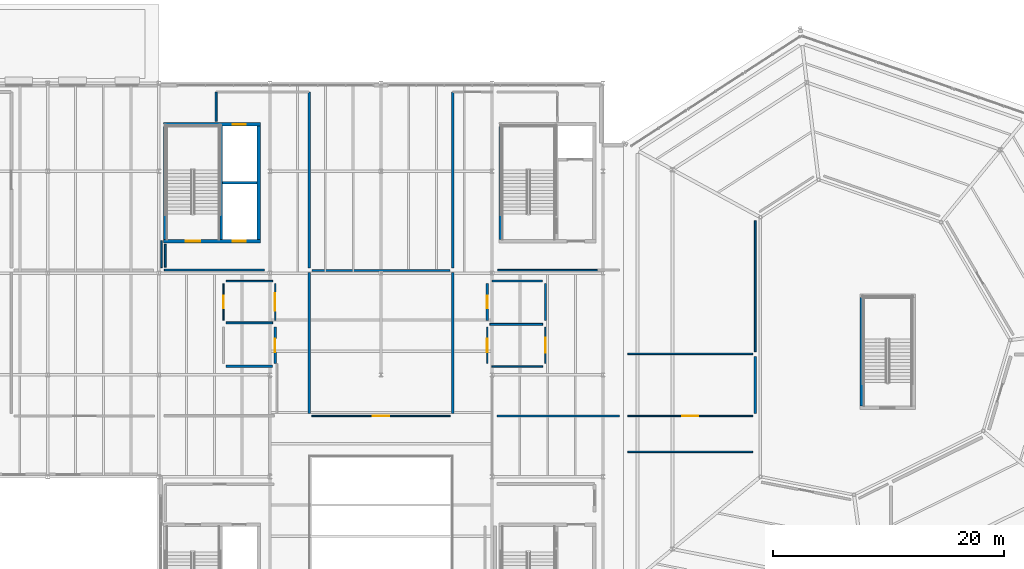
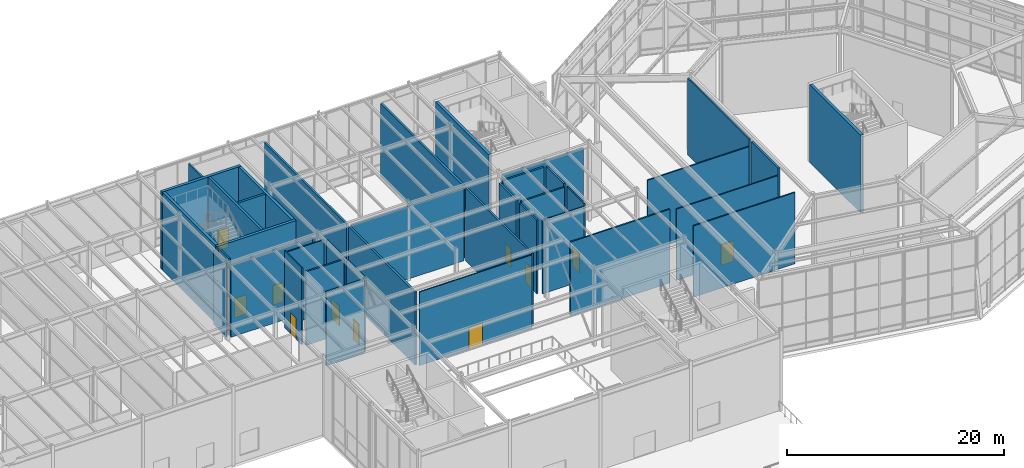
# One storey, part 37 of 48: 38 walls, 11 doors, 11 openings.
"""IFC4 building model written with IfcOpenShell, lengths in metres."""

import ifcopenshell
import ifcopenshell.guid

model = None  # the IFC model being written
_history = None  # IfcOwnerHistory: only IFC2X3 demands one
_inside = {}  # id of a spatial element -> (the spatial element, [elements in it])
_under = {}  # id of a project, library or spatial element -> (it, [spatial elements below it])
_declared = {}  # id of a project -> (the project, [libraries it declares])
_typed = {}  # id of a type object -> (the type object, [elements of that type])
_made_of = {}  # id of a material, layer set ... -> (it, [elements and type objects made of it])


def new_model(schema):
    """Start an empty IFC model of exactly this schema.

    Asked for "IFC4X3", IfcOpenShell would pick the latest addendum, in which some entities
    have other attributes; the version numbers below select the first issue.
    IFC2X3 requires an IfcOwnerHistory on every rooted entity: one is made here for all.
    """
    global model, _history
    if schema == "IFC4X3":
        model = ifcopenshell.file(schema_version=(4, 3, 0, 0))
    else:
        model = ifcopenshell.file(schema=schema)
    _inside.clear()
    _under.clear()
    _declared.clear()
    _typed.clear()
    _made_of.clear()
    _history = None
    if model.schema == "IFC2X3":
        org = make("IfcOrganization", Name="unknown")
        user = make(
            "IfcPersonAndOrganization",
            ThePerson=make("IfcPerson", FamilyName="unknown"),
            TheOrganization=org,
        )
        app = make(
            "IfcApplication",
            ApplicationDeveloper=org,
            Version="unknown",
            ApplicationFullName="unknown",
            ApplicationIdentifier="unknown",
        )
        _history = make(
            "IfcOwnerHistory",
            OwningUser=user,
            OwningApplication=app,
            ChangeAction="ADDED",
            CreationDate=0,
        )
    return model


def make(cls, **values):
    """One entity of the class cls with the attributes given. An attribute that is None is left unset."""
    return model.create_entity(
        cls, **{name: value for name, value in values.items() if value is not None}
    )


def rooted(cls, **values):
    """An entity with a GlobalId (a new one), such as an element, a storey or a relation."""
    return make(cls, GlobalId=ifcopenshell.guid.new(), OwnerHistory=_history, **values)


def si_unit(unit_type, name, prefix=None):
    """IfcSIUnit, for example si_unit("LENGTHUNIT", "METRE", prefix="MILLI")."""
    return make("IfcSIUnit", UnitType=unit_type, Prefix=prefix, Name=name)


def assignment(units):
    """IfcUnitAssignment: the units of a project."""
    return None if units is None else make("IfcUnitAssignment", Units=units)


def point(xyz):
    """IfcCartesianPoint."""
    return None if xyz is None else make("IfcCartesianPoint", Coordinates=xyz)


def direction(xyz):
    """IfcDirection."""
    return None if xyz is None else make("IfcDirection", DirectionRatios=xyz)


def frame(location, z_axis=None, x_axis=None):
    """IfcAxis2Placement3D, a coordinate frame: its origin and axes. An axis left out is left unset."""
    return make(
        "IfcAxis2Placement3D",
        Location=point(location),
        Axis=direction(z_axis),
        RefDirection=direction(x_axis),
    )


def frame_2d(location, x_axis=None):
    """IfcAxis2Placement2D, a coordinate frame in the plane: its origin and x axis."""
    return make(
        "IfcAxis2Placement2D", Location=point(location), RefDirection=direction(x_axis)
    )


def origin():
    """The frame at (0, 0, 0) with its axes left unset."""
    return frame((0.0, 0.0, 0.0))


def place(relative_to, where):
    """IfcLocalPlacement: puts the frame where relative to a parent placement (None: the world)."""
    return make(
        "IfcLocalPlacement", PlacementRelTo=relative_to, RelativePlacement=where
    )


def context(
    kind, dimensions, precision=None, world=None, true_north=None, identifier=None
):
    """IfcGeometricRepresentationContext, for example the 3D "Model" context."""
    return make(
        "IfcGeometricRepresentationContext",
        ContextIdentifier=identifier,
        ContextType=kind,
        CoordinateSpaceDimension=dimensions,
        Precision=precision,
        WorldCoordinateSystem=world,
        TrueNorth=true_north,
    )


def subcontext(parent, identifier, kind, view, scale=None):
    """IfcGeometricRepresentationSubContext, for example "Body" below "Model"."""
    return make(
        "IfcGeometricRepresentationSubContext",
        ContextIdentifier=identifier,
        ContextType=kind,
        ParentContext=parent,
        TargetScale=scale,
        TargetView=view,
    )


def project(units=None, contexts=None):
    """IfcProject with its units and contexts."""
    return rooted(
        "IfcProject",
        Name="project",
        RepresentationContexts=contexts,
        UnitsInContext=assignment(units),
    )


def spatial(cls, under=None, at=None, **own):
    """A site, building, storey or space (cls), placed at a placement, below another one or the project."""
    s = rooted(cls, ObjectPlacement=at, **own)
    if under is not None:
        _under.setdefault(under.id(), (under, []))[1].append(s)
    return s


def profile(cls, at=None, kind="AREA", **sizes):
    """A parametric profile (cls). Its sizes go by their IFC names, for example OverallWidth=200.0."""
    return make(cls, ProfileType=kind, Position=at, **sizes)


def rectangle(**sizes):
    """IfcRectangleProfileDef."""
    return profile("IfcRectangleProfileDef", **sizes)


def extrude(swept, where, along, depth):
    """IfcExtrudedAreaSolid: the profile swept, set in the frame where, extruded along a direction by depth."""
    return make(
        "IfcExtrudedAreaSolid",
        SweptArea=swept,
        Position=where,
        ExtrudedDirection=direction(along),
        Depth=depth,
    )


def shape(context_of_items, identifier, shape_type, items):
    """IfcShapeRepresentation: the items that make up one representation, for example the "Body"."""
    return make(
        "IfcShapeRepresentation",
        ContextOfItems=context_of_items,
        RepresentationIdentifier=identifier,
        RepresentationType=shape_type,
        Items=items,
    )


def material(Name=None, Category=None):
    """IfcMaterial."""
    return make("IfcMaterial", Name=Name, Category=Category)


def layer(
    of_material, thickness, ventilated=None, Name=None, Category=None, Priority=None
):
    """IfcMaterialLayer: one layer of a wall or slab, of a material (None: an air gap)."""
    return make(
        "IfcMaterialLayer",
        Material=of_material,
        LayerThickness=thickness,
        IsVentilated=ventilated,
        Name=Name,
        Category=Category,
        Priority=Priority,
    )


def layer_set(layers, Name=None):
    """IfcMaterialLayerSet."""
    return make("IfcMaterialLayerSet", MaterialLayers=layers, LayerSetName=Name)


def made_of(thing, what):
    """Note that an element or type object is made of a material, layer set ...; save() writes the relation."""
    if what is not None:
        _made_of.setdefault(what.id(), (what, []))[1].append(thing)
    return thing


def type_object(cls, material=None, **own):
    """A type object (cls), such as IfcWallType, which elements share."""
    return made_of(rooted(cls, **own), material)


def element(
    cls,
    number,
    at=None,
    inside=None,
    cuts=None,
    type_object=None,
    material=None,
    context=None,
    identifier="Body",
    shape_type=None,
    held_by="IfcProductDefinitionShape",
    body=None,
    shapes=None,
    **own,
):
    """One element of the class cls, such as IfcWall. Its Tag is "e" and its number.

    at: its placement. inside: the storey or other place that contains it. cuts: it is an
    opening in that element (IfcRelVoidsElement). A single representation is given by context,
    identifier, shape_type and body (its items); several are given by shapes. held_by: the class
    of the entity that holds the representations. save() writes the other relations.
    """
    e = rooted(cls, Tag="e%d" % number, ObjectPlacement=at, **own)
    if body is not None:
        shapes = [shape(context, identifier, shape_type, body)]
    if shapes is not None:
        e.Representation = make(held_by, Representations=shapes)
    if inside is not None:
        _inside.setdefault(inside.id(), (inside, []))[1].append(e)
    if cuts is not None:
        rooted(
            "IfcRelVoidsElement", RelatingBuildingElement=cuts, RelatedOpeningElement=e
        )
    if type_object is not None:
        _typed.setdefault(type_object.id(), (type_object, []))[1].append(e)
    return made_of(e, material)


def fill(opening, filler):
    """IfcRelFillsElement: the door or window that sits in an opening."""
    return rooted(
        "IfcRelFillsElement",
        RelatingOpeningElement=opening,
        RelatedBuildingElement=filler,
    )


def aggregate(whole, parts):
    """IfcRelAggregates: a whole, such as a stair, and the parts it consists of."""
    return rooted("IfcRelAggregates", RelatingObject=whole, RelatedObjects=parts)


def save(model, path):
    """Write the relations noted so far, then the file.

    IfcRelAggregates (storeys below a building ...), IfcRelContainedInSpatialStructure (elements
    in a storey), IfcRelDefinesByType, IfcRelAssociatesMaterial and IfcRelDeclares: one each for
    every whole, place, type object, material and project.
    """
    for whole, parts in _under.values():
        aggregate(whole, parts)
    for where, things in _inside.values():
        rooted(
            "IfcRelContainedInSpatialStructure",
            RelatedElements=things,
            RelatingStructure=where,
        )
    for kind, things in _typed.values():
        rooted("IfcRelDefinesByType", RelatedObjects=things, RelatingType=kind)
    for what, things in _made_of.values():
        rooted("IfcRelAssociatesMaterial", RelatedObjects=things, RelatingMaterial=what)
    for by, libraries in _declared.values():
        rooted("IfcRelDeclares", RelatingContext=by, RelatedDefinitions=libraries)
    model.write(path)


model = new_model("IFC4")

# Units and contexts
model_context = context("Model", 3, precision=1e-05, world=origin(), true_north=direction((0.0, 1.0)))
body_context = subcontext(model_context, "Body", "Model", "MODEL_VIEW")
ifc_project = project(units=[si_unit("LENGTHUNIT", "METRE"), si_unit("AREAUNIT", "SQUARE_METRE"), si_unit("VOLUMEUNIT", "CUBIC_METRE"), si_unit("PLANEANGLEUNIT", "RADIAN"), si_unit("MASSUNIT", "GRAM", prefix="KILO")], contexts=[model_context])

# Site, building, storey
site_placement = place(None, origin())
site = spatial("IfcSite", under=ifc_project, at=site_placement, CompositionType="ELEMENT")
building_placement = place(site_placement, origin())
building = spatial("IfcBuilding", under=site, at=building_placement, Name="Sarnbrook Museum", CompositionType="ELEMENT")
storey_placement = place(building_placement, frame((0.0, 0.0, 19.10009765625)))
storey = spatial("IfcBuildingStorey", under=building, at=storey_placement, Name="L04", CompositionType="ELEMENT", Elevation=19.10009765625)

# Wall
ifc_material_1 = material(Name="Concrete N50 (AS 3600, f'c = 50 MPa)", Category="concrete")
ifc_layer_1 = layer(ifc_material_1, 0.300048828125)
ifc_layer_set_1 = layer_set([ifc_layer_1], Name="Concrete N50 (AS 3600, f'c = 50 MPa)")
wall_type_1 = type_object("IfcWallType", Name="CoreWall_CWRC", PredefinedType="SHEAR", material=ifc_layer_set_1)
wall_1_placement = place(storey_placement, frame((110.35009765625, 104.68994140625, 0.0), z_axis=(0.0, 0.0, 1.0), x_axis=(0.0, -1.0, 0.0)))
element("IfcWall", 1, at=wall_1_placement, inside=storey, type_object=wall_type_1, Name="Core C2 Shear Wall W L04", PredefinedType="SHEAR", context=body_context, shape_type="SweptSolid", body=[
    extrude(rectangle(XDim=9.780029296875, YDim=0.300048828125, at=frame_2d((4.89013671875, 0.0))), origin(), (0.0, 0.0, 1.0), 8.744873046875),
])

# Wall, openings, doors
wall_2_placement = place(storey_placement, frame((81.199951171875, 94.75, 0.0), z_axis=(0.0, 0.0, 1.0), x_axis=(1.0, 0.0, 0.0)))
wall_2 = element("IfcWall", 2, at=wall_2_placement, inside=storey, type_object=wall_type_1, Name="Core C4 Shear Wall S L04", PredefinedType="SHEAR", context=body_context, shape_type="SweptSolid", body=[
    extrude(rectangle(XDim=8.400146484375, YDim=0.300048828125, at=frame_2d((4.2001953125, 0.0))), origin(), (0.0, 0.0, 1.0), 8.744873046875),
])
opening_1_placement = place(wall_2_placement, frame((1.925048828125, 0.0, 0.0)))
opening_1 = element("IfcOpeningElement", 3, at=opening_1_placement, cuts=wall_2, Name="Opening D-ST-ST4-L04", PredefinedType="OPENING", context=body_context, shape_type="SweptSolid", body=[
    extrude(rectangle(XDim=1.25, YDim=2.199951171875, at=frame_2d((0.625, 1.10009765625))), frame((0.0, 0.16015625, 0.0), z_axis=(0.0, -1.0, 0.0), x_axis=(1.0, 0.0, 0.0)), (0.0, 0.0, 1.0), 0.320068359375),
])
opening_2_placement = place(wall_2_placement, frame((6.0, 0.0, 0.0)))
opening_2 = element("IfcOpeningElement", 4, at=opening_2_placement, cuts=wall_2, Name="Opening LD-PL3-L04", PredefinedType="OPENING", context=body_context, shape_type="SweptSolid", body=[
    extrude(rectangle(XDim=1.10009765625, YDim=2.199951171875, at=frame_2d((0.550048828125, 1.10009765625))), frame((0.0, 0.16015625, 0.0), z_axis=(0.0, -1.0, 0.0), x_axis=(1.0, 0.0, 0.0)), (0.0, 0.0, 1.0), 0.320068359375),
])
ifc_material_2 = material(Name="Tasmanian Oak Acoustic Timber", Category="wood")
door_type_1 = type_object("IfcDoorType", Name="FireDoor_FD120", OperationType="NOTDEFINED", PredefinedType="DOOR", material=ifc_material_2)
door_1_placement = place(opening_1_placement, origin())
door_1 = element("IfcDoor", 5, at=door_1_placement, inside=storey, type_object=door_type_1, Name="Exit Stair ST4 Fire Door L04", OperationType="SINGLE_SWING_RIGHT", OverallHeight=2.199951171875, OverallWidth=1.25, PredefinedType="DOOR", context=body_context, shape_type="SweptSolid", body=[
    extrude(rectangle(XDim=1.25, YDim=2.199951171875, at=frame_2d((0.625, 1.10009765625))), frame((0.0, 0.02490234375, 0.0), z_axis=(0.0, -1.0, 0.0), x_axis=(1.0, 0.0, 0.0)), (0.0, 0.0, 1.0), 0.050048828125),
])
fill(opening_1, door_1)
ifc_material_3 = material(Name="Brushed Stainless Steel Grade 316", Category="steel")
door_type_2 = type_object("IfcDoorType", Name="LiftDoor_Pax110", OperationType="DOUBLE_DOOR_SLIDING", PredefinedType="DOOR", material=ifc_material_3)
door_2_placement = place(opening_2_placement, origin())
door_2 = element("IfcDoor", 6, at=door_2_placement, inside=storey, type_object=door_type_2, Name="Lift Landing Sliding Door LD-PL3-L04", OperationType="DOUBLE_DOOR_SLIDING", OverallHeight=2.199951171875, OverallWidth=1.10009765625, PredefinedType="DOOR", context=body_context, shape_type="SweptSolid", body=[
    extrude(rectangle(XDim=1.10009765625, YDim=2.199951171875, at=frame_2d((0.550048828125, 1.10009765625))), frame((0.0, 0.02490234375, 0.0), z_axis=(0.0, -1.0, 0.0), x_axis=(1.0, 0.0, 0.0)), (0.0, 0.0, 1.0), 0.050048828125),
])
fill(opening_2, door_2)

# Wall, opening, door
wall_3_placement = place(storey_placement, frame((89.60009765625, 104.85009765625, 0.0), z_axis=(0.0, 0.0, 1.0), x_axis=(-1.0, 0.0, 0.0)))
wall_3 = element("IfcWall", 7, at=wall_3_placement, inside=storey, type_object=wall_type_1, Name="Core C4 Shear Wall N L04", PredefinedType="SHEAR", context=body_context, shape_type="SweptSolid", body=[
    extrude(rectangle(XDim=8.400146484375, YDim=0.300048828125, at=frame_2d((4.2001953125, 0.0))), origin(), (0.0, 0.0, 1.0), 8.744873046875),
])
opening_3_placement = place(wall_3_placement, frame((1.300048828125, 0.0, 0.0)))
opening_3 = element("IfcOpeningElement", 8, at=opening_3_placement, cuts=wall_3, Name="Opening LD-PL4-L04", PredefinedType="OPENING", context=body_context, shape_type="SweptSolid", body=[
    extrude(rectangle(XDim=1.10009765625, YDim=2.199951171875, at=frame_2d((0.550048828125, 1.10009765625))), frame((0.0, 0.16015625, 0.0), z_axis=(0.0, -1.0, 0.0), x_axis=(1.0, 0.0, 0.0)), (0.0, 0.0, 1.0), 0.320068359375),
])
door_3_placement = place(opening_3_placement, origin())
door_3 = element("IfcDoor", 9, at=door_3_placement, inside=storey, type_object=door_type_2, Name="Lift Landing Sliding Door LD-PL4-L04", OperationType="DOUBLE_DOOR_SLIDING", OverallHeight=2.199951171875, OverallWidth=1.10009765625, PredefinedType="DOOR", context=body_context, shape_type="SweptSolid", body=[
    extrude(rectangle(XDim=1.10009765625, YDim=2.199951171875, at=frame_2d((0.550048828125, 1.10009765625))), frame((0.0, 0.02490234375, 0.0), z_axis=(0.0, -1.0, 0.0), x_axis=(1.0, 0.0, 0.0)), (0.0, 0.0, 1.0), 0.050048828125),
])
fill(opening_3, door_3)

# Walls
for number, where, z_axis, x_axis, name in (
    (10, (89.449951171875, 94.909912109375, 0.0), (0.0, 0.0, 1.0), (0.0, 1.0, 0.0), "Core C4 Shear Wall E L04"),
    (11, (81.35009765625, 104.68994140625, 0.0), (0.0, 0.0, 1.0), (0.0, -1.0, 0.0), "Core C4 Shear Wall W L04"),
):
    element("IfcWall", number, at=place(storey_placement, frame(where, z_axis=z_axis, x_axis=x_axis)), inside=storey, type_object=wall_type_1, Name=name, PredefinedType="SHEAR", context=body_context, shape_type="SweptSolid", body=[
        extrude(rectangle(XDim=9.780029296875, YDim=0.300048828125, at=frame_2d((4.89013671875, 0.0))), origin(), (0.0, 0.0, 1.0), 8.744873046875),
    ])
wall_4_placement = place(storey_placement, frame((141.550048828125, 89.889892578125, 0.0), z_axis=(0.0, 0.0, 1.0), x_axis=(0.0, -1.0, 0.0)))
element("IfcWall", 12, at=wall_4_placement, inside=storey, type_object=wall_type_1, Name="Core C7 Shear Wall W L04", PredefinedType="SHEAR", context=body_context, shape_type="SweptSolid", body=[
    extrude(rectangle(XDim=9.3798828125, YDim=0.300048828125, at=frame_2d((4.68994140625, 0.0))), origin(), (0.0, 0.0, 1.0), 8.73486328125),
])
ifc_material_4 = material(Name="Fire-Rated Acoustic Gypsum Plasterboard")
ifc_layer_2 = layer(ifc_material_4, 0.1201171875)
ifc_layer_set_2 = layer_set([ifc_layer_2], Name="Fire-Rated Acoustic Gypsum Plasterboard")
wall_type_2 = type_object("IfcWallType", Name="PartWall_P120", PredefinedType="PARTITIONING", material=ifc_layer_set_2)
wall_5_placement = place(storey_placement, frame((113.97998046875, 83.93994140625, 0.0), z_axis=(0.0, 0.0, 1.0), x_axis=(-1.0, 0.0, 0.0)))
element("IfcWall", 13, at=wall_5_placement, inside=storey, type_object=wall_type_2, Name="Interior Partition Wall L04-0734", PredefinedType="PARTITIONING", context=body_context, shape_type="SweptSolid", body=[
    extrude(rectangle(XDim=4.389892578125, YDim=0.1201171875, at=frame_2d((2.19482421875, 0.0))), origin(), (0.0, 0.0, 1.0), 8.262939453125),
])

# Wall, opening, door
wall_6_placement = place(storey_placement, frame((86.389892578125, 87.919921875, 0.0), z_axis=(0.0, 0.0, 1.0), x_axis=(0.0, 1.0, 0.0)))
wall_6 = element("IfcWall", 14, at=wall_6_placement, inside=storey, type_object=wall_type_2, Name="Interior Partition Wall L04-0741", PredefinedType="PARTITIONING", context=body_context, shape_type="SweptSolid", body=[
    extrude(rectangle(XDim=3.16015625, YDim=0.1201171875, at=frame_2d((1.580078125, 0.0))), origin(), (0.0, 0.0, 1.0), 8.6298828125),
])
opening_4_placement = place(wall_6_placement, frame((1.054931640625, 0.0, 0.0)))
opening_4 = element("IfcOpeningElement", 15, at=opening_4_placement, cuts=wall_6, Name="Opening D-L04-211", PredefinedType="OPENING", context=body_context, shape_type="SweptSolid", body=[
    extrude(rectangle(XDim=1.050048828125, YDim=2.340087890625, at=frame_2d((0.52490234375, 1.169921875))), frame((0.0, 0.070068359375, 0.0), z_axis=(0.0, -1.0, 0.0), x_axis=(1.0, 0.0, 0.0)), (0.0, 0.0, 1.0), 0.14013671875),
])
door_type_3 = type_object("IfcDoorType", Name="IntDoor_DT21", OperationType="NOTDEFINED", PredefinedType="DOOR", material=ifc_material_2)
door_4_placement = place(opening_4_placement, frame((1.050048828125, 0.0, 0.0), z_axis=(0.0, 0.0, 1.0), x_axis=(-1.0, 0.0, 0.0)))
door_4 = element("IfcDoor", 16, at=door_4_placement, inside=storey, type_object=door_type_3, Name="Climate & Anthropocene Exhibition L04-6 Door D-L04-211", OperationType="SINGLE_SWING_RIGHT", OverallHeight=2.340087890625, OverallWidth=1.050048828125, PredefinedType="DOOR", context=body_context, shape_type="SweptSolid", body=[
    extrude(rectangle(XDim=1.050048828125, YDim=2.340087890625, at=frame_2d((0.52490234375, 1.169921875))), frame((0.0, 0.02490234375, 0.0), z_axis=(0.0, -1.0, 0.0), x_axis=(1.0, 0.0, 0.0)), (0.0, 0.0, 1.0), 0.050048828125),
])
fill(opening_4, door_4)

wall_7_placement = place(storey_placement, frame((132.1201171875, 79.64990234375, 0.0), z_axis=(0.0, 0.0, 1.0), x_axis=(-1.0, 0.0, 0.0)))
wall_7 = element("IfcWall", 17, at=wall_7_placement, inside=storey, type_object=wall_type_2, Name="Interior Partition Wall L04-0748", PredefinedType="PARTITIONING", context=body_context, shape_type="SweptSolid", body=[
    extrude(rectangle(XDim=10.78271484375, YDim=0.1201171875, at=frame_2d((5.391357421875, 0.0))), origin(), (0.0, 0.0, 1.0), 8.010009765625),
])
opening_5_placement = place(wall_7_placement, frame((4.701416015625, 0.0, 0.0)))
opening_5 = element("IfcOpeningElement", 18, at=opening_5_placement, cuts=wall_7, Name="Opening D-L04-214", PredefinedType="OPENING", context=body_context, shape_type="SweptSolid", body=[
    extrude(rectangle(XDim=1.3798828125, YDim=2.340087890625, at=frame_2d((0.68994140625, 1.169921875))), frame((0.0, 0.070068359375, 0.0), z_axis=(0.0, -1.0, 0.0), x_axis=(1.0, 0.0, 0.0)), (0.0, 0.0, 1.0), 0.14013671875),
])
door_type_4 = type_object("IfcDoorType", Name="IntDoor_DT24", OperationType="NOTDEFINED", PredefinedType="DOOR", material=ifc_material_2)
door_5_placement = place(opening_5_placement, frame((1.3798828125, 0.0, 0.0), z_axis=(0.0, 0.0, 1.0), x_axis=(-1.0, 0.0, 0.0)))
door_5 = element("IfcDoor", 19, at=door_5_placement, inside=storey, type_object=door_type_4, Name="Mineral Crystal Treasury L04-2 Door D-L04-214", OperationType="SINGLE_SWING_LEFT", OverallHeight=2.340087890625, OverallWidth=1.3798828125, PredefinedType="DOOR", context=body_context, shape_type="SweptSolid", body=[
    extrude(rectangle(XDim=1.3798828125, YDim=2.340087890625, at=frame_2d((0.68994140625, 1.169921875))), frame((0.0, 0.02490234375, 0.0), z_axis=(0.0, -1.0, 0.0), x_axis=(1.0, 0.0, 0.0)), (0.0, 0.0, 1.0), 0.050048828125),
])
fill(opening_5, door_5)

wall_8_placement = place(storey_placement, frame((105.969970703125, 79.64990234375, 0.0), z_axis=(0.0, 0.0, 1.0), x_axis=(-1.0, 0.0, 0.0)))
wall_8 = element("IfcWall", 20, at=wall_8_placement, inside=storey, type_object=wall_type_2, Name="Interior Partition Wall L04-0776", PredefinedType="PARTITIONING", context=body_context, shape_type="SweptSolid", body=[
    extrude(rectangle(XDim=11.93994140625, YDim=0.1201171875, at=frame_2d((5.969970703125, 0.0))), origin(), (0.0, 0.0, 1.0), 8.264404296875),
])
opening_6_placement = place(wall_8_placement, frame((5.239990234375, 0.0, 0.0)))
opening_6 = element("IfcOpeningElement", 21, at=opening_6_placement, cuts=wall_8, Name="Opening D-L04-219", PredefinedType="OPENING", context=body_context, shape_type="SweptSolid", body=[
    extrude(rectangle(XDim=1.4599609375, YDim=2.4599609375, at=frame_2d((0.72998046875, 1.22998046875))), frame((0.0, 0.070068359375, 0.0), z_axis=(0.0, -1.0, 0.0), x_axis=(1.0, 0.0, 0.0)), (0.0, 0.0, 1.0), 0.14013671875),
])
door_type_5 = type_object("IfcDoorType", Name="IntDoor_DT29", OperationType="NOTDEFINED", PredefinedType="DOOR", material=ifc_material_2)
door_6_placement = place(opening_6_placement, frame((1.4599609375, 0.0, 0.0), z_axis=(0.0, 0.0, 1.0), x_axis=(-1.0, 0.0, 0.0)))
door_6 = element("IfcDoor", 22, at=door_6_placement, inside=storey, type_object=door_type_5, Name="Senior Curators' & Fellows' Offices L04-8 Door D-L04-219", OperationType="SINGLE_SWING_LEFT", OverallHeight=2.4599609375, OverallWidth=1.4599609375, PredefinedType="DOOR", context=body_context, shape_type="SweptSolid", body=[
    extrude(rectangle(XDim=1.4599609375, YDim=2.4599609375, at=frame_2d((0.72998046875, 1.22998046875))), frame((0.0, 0.02490234375, 0.0), z_axis=(0.0, -1.0, 0.0), x_axis=(1.0, 0.0, 0.0)), (0.0, 0.0, 1.0), 0.050048828125),
])
fill(opening_6, door_6)

ifc_layer_3 = layer(ifc_material_4, 0.135009765625)
ifc_layer_set_3 = layer_set([ifc_layer_3], Name="Fire-Rated Acoustic Gypsum Plasterboard")
wall_type_3 = type_object("IfcWallType", Name="PartWall_P135", PredefinedType="PARTITIONING", material=ifc_layer_set_3)
wall_9_placement = place(storey_placement, frame((114.2099609375, 87.330078125, 0.0), z_axis=(0.0, 0.0, 1.0), x_axis=(0.0, -1.0, 0.0)))
wall_9 = element("IfcWall", 23, at=wall_9_placement, inside=storey, type_object=wall_type_3, Name="Interior Partition Wall L04-0733", PredefinedType="PARTITIONING", context=body_context, shape_type="SweptSolid", body=[
    extrude(rectangle(XDim=3.16015625, YDim=0.135009765625, at=frame_2d((1.580078125, 0.0))), origin(), (0.0, 0.0, 1.0), 8.364013671875),
])
opening_7_placement = place(wall_9_placement, frame((0.93994140625, 0.0, 0.0)))
opening_7 = element("IfcOpeningElement", 24, at=opening_7_placement, cuts=wall_9, Name="Opening D-L04-208", PredefinedType="OPENING", context=body_context, shape_type="SweptSolid", body=[
    extrude(rectangle(XDim=1.280029296875, YDim=2.239990234375, at=frame_2d((0.64013671875, 1.1201171875))), frame((0.0, 0.07763671875, 0.0), z_axis=(0.0, -1.0, 0.0), x_axis=(1.0, 0.0, 0.0)), (0.0, 0.0, 1.0), 0.155029296875),
])
door_type_6 = type_object("IfcDoorType", Name="IntDoor_DT18", OperationType="NOTDEFINED", PredefinedType="DOOR", material=ifc_material_2)
door_7_placement = place(opening_7_placement, frame((1.280029296875, 0.0, 0.0), z_axis=(0.0, 0.0, 1.0), x_axis=(-1.0, 0.0, 0.0)))
door_7 = element("IfcDoor", 25, at=door_7_placement, inside=storey, type_object=door_type_6, Name="Museum Board & Symposium Room L04-10 Door D-L04-208", OperationType="SINGLE_SWING_LEFT", OverallHeight=2.239990234375, OverallWidth=1.280029296875, PredefinedType="DOOR", context=body_context, shape_type="SweptSolid", body=[
    extrude(rectangle(XDim=1.280029296875, YDim=2.239990234375, at=frame_2d((0.64013671875, 1.1201171875))), frame((0.0, 0.02490234375, 0.0), z_axis=(0.0, -1.0, 0.0), x_axis=(1.0, 0.0, 0.0)), (0.0, 0.0, 1.0), 0.050048828125),
])
fill(opening_7, door_7)

# Walls
wall_10_placement = place(storey_placement, frame((86.6201171875, 91.31005859375, 0.0), z_axis=(0.0, 0.0, 1.0), x_axis=(1.0, 0.0, 0.0)))
element("IfcWall", 26, at=wall_10_placement, inside=storey, type_object=wall_type_3, Name="Interior Partition Wall L04-0740", PredefinedType="PARTITIONING", context=body_context, shape_type="SweptSolid", body=[
    extrude(rectangle(XDim=4.009765625, YDim=0.135009765625, at=frame_2d((2.0048828125, 0.0))), origin(), (0.0, 0.0, 1.0), 8.262939453125),
])
wall_11_placement = place(storey_placement, frame((121.33740234375, 76.550048828125, 0.0), z_axis=(0.0, 0.0, 1.0), x_axis=(1.0, 0.0, 0.0)))
element("IfcWall", 27, at=wall_11_placement, inside=storey, type_object=wall_type_3, Name="Interior Partition Wall L04-0747", PredefinedType="PARTITIONING", context=body_context, shape_type="SweptSolid", body=[
    extrude(rectangle(XDim=10.78271484375, YDim=0.135009765625, at=frame_2d((5.391357421875, 0.0))), origin(), (0.0, 0.0, 1.0), 8.010009765625),
])
wall_12_placement = place(storey_placement, frame((81.02001953125, 92.47998046875, 0.0), z_axis=(0.0, 0.0, 1.0), x_axis=(0.0, 1.0, 0.0)))
element("IfcWall", 28, at=wall_12_placement, inside=storey, type_object=wall_type_3, Name="Interior Partition Wall L04-0775", PredefinedType="PARTITIONING", context=body_context, shape_type="SweptSolid", body=[
    extrude(rectangle(XDim=2.320068359375, YDim=0.135009765625, at=frame_2d((1.16015625, 0.0))), origin(), (0.0, 0.0, 1.0), 8.262939453125),
])
wall_13_placement = place(storey_placement, frame((110.080078125, 92.260009765625, 0.0), z_axis=(0.0, 0.0, 1.0), x_axis=(1.0, 0.0, 0.0)))
element("IfcWall", 29, at=wall_13_placement, inside=storey, type_object=wall_type_3, Name="Interior Partition Wall L04-0782", PredefinedType="PARTITIONING", context=body_context, shape_type="SweptSolid", body=[
    extrude(rectangle(XDim=8.639892578125, YDim=0.135009765625, at=frame_2d((4.31982421875, 0.0))), origin(), (0.0, 0.0, 1.0), 8.18701171875),
])
wall_14_placement = place(storey_placement, frame((121.33740234375, 85.010498046875, 0.0), z_axis=(0.0, 0.0, 1.0), x_axis=(1.0, 0.0, 0.0)))
element("IfcWall", 30, at=wall_14_placement, inside=storey, type_object=wall_type_3, Name="Interior Partition Wall L04-0796", PredefinedType="PARTITIONING", context=body_context, shape_type="SweptSolid", body=[
    extrude(rectangle(XDim=10.78271484375, YDim=0.135009765625, at=frame_2d((5.391357421875, 0.0))), origin(), (0.0, 0.0, 1.0), 8.010009765625),
])

# Wall, opening, door
ifc_layer_4 = layer(ifc_material_4, 0.14990234375)
ifc_layer_set_4 = layer_set([ifc_layer_4], Name="Fire-Rated Acoustic Gypsum Plasterboard")
wall_type_4 = type_object("IfcWallType", Name="PartWall_P150", PredefinedType="PARTITIONING", material=ifc_layer_set_4)
wall_15_placement = place(storey_placement, frame((109.18994140625, 84.169921875, 0.0), z_axis=(0.0, 0.0, 1.0), x_axis=(0.0, 1.0, 0.0)))
wall_15 = element("IfcWall", 31, at=wall_15_placement, inside=storey, type_object=wall_type_4, Name="Interior Partition Wall L04-0732", PredefinedType="PARTITIONING", context=body_context, shape_type="SweptSolid", body=[
    extrude(rectangle(XDim=3.16015625, YDim=0.14990234375, at=frame_2d((1.580078125, 0.0))), origin(), (0.0, 0.0, 1.0), 8.264404296875),
])
opening_8_placement = place(wall_15_placement, frame((0.989990234375, 0.0, 0.0)))
opening_8 = element("IfcOpeningElement", 32, at=opening_8_placement, cuts=wall_15, Name="Opening D-L04-207", PredefinedType="OPENING", context=body_context, shape_type="SweptSolid", body=[
    extrude(rectangle(XDim=1.179931640625, YDim=2.239990234375, at=frame_2d((0.58984375, 1.1201171875))), frame((0.0, 0.0849609375, 0.0), z_axis=(0.0, -1.0, 0.0), x_axis=(1.0, 0.0, 0.0)), (0.0, 0.0, 1.0), 0.169921875),
])
door_type_7 = type_object("IfcDoorType", Name="IntDoor_DT17", OperationType="NOTDEFINED", PredefinedType="DOOR", material=ifc_material_2)
door_8_placement = place(opening_8_placement, origin())
door_8 = element("IfcDoor", 33, at=door_8_placement, inside=storey, type_object=door_type_7, Name="Public Male Toilets L04 Door D-L04-207", OperationType="SINGLE_SWING_RIGHT", OverallHeight=2.239990234375, OverallWidth=1.179931640625, PredefinedType="DOOR", context=body_context, shape_type="SweptSolid", body=[
    extrude(rectangle(XDim=1.179931640625, YDim=2.239990234375, at=frame_2d((0.58984375, 1.1201171875))), frame((0.0, 0.02490234375, 0.0), z_axis=(0.0, -1.0, 0.0), x_axis=(1.0, 0.0, 0.0)), (0.0, 0.0, 1.0), 0.050048828125),
])
fill(opening_8, door_8)

wall_16_placement = place(storey_placement, frame((90.860107421875, 91.080078125, 0.0), z_axis=(0.0, 0.0, 1.0), x_axis=(0.0, -1.0, 0.0)))
wall_16 = element("IfcWall", 34, at=wall_16_placement, inside=storey, type_object=wall_type_4, Name="Interior Partition Wall L04-0739", PredefinedType="PARTITIONING", context=body_context, shape_type="SweptSolid", body=[
    extrude(rectangle(XDim=3.16015625, YDim=0.14990234375, at=frame_2d((1.580078125, 0.0))), origin(), (0.0, 0.0, 1.0), 8.264404296875),
])
opening_9_placement = place(wall_16_placement, frame((0.840087890625, 0.0, 0.0)))
opening_9 = element("IfcOpeningElement", 35, at=opening_9_placement, cuts=wall_16, Name="Opening D-L04-210", PredefinedType="OPENING", context=body_context, shape_type="SweptSolid", body=[
    extrude(rectangle(XDim=1.47998046875, YDim=2.239990234375, at=frame_2d((0.739990234375, 1.1201171875))), frame((0.0, 0.0849609375, 0.0), z_axis=(0.0, -1.0, 0.0), x_axis=(1.0, 0.0, 0.0)), (0.0, 0.0, 1.0), 0.169921875),
])
door_type_8 = type_object("IfcDoorType", Name="IntDoor_DT20", OperationType="NOTDEFINED", PredefinedType="DOOR", material=ifc_material_2)
door_9_placement = place(opening_9_placement, origin())
door_9 = element("IfcDoor", 36, at=door_9_placement, inside=storey, type_object=door_type_8, Name="Accessible Unisex Toilet L04 Door D-L04-210", OperationType="SINGLE_SWING_LEFT", OverallHeight=2.239990234375, OverallWidth=1.47998046875, PredefinedType="DOOR", context=body_context, shape_type="SweptSolid", body=[
    extrude(rectangle(XDim=1.47998046875, YDim=2.239990234375, at=frame_2d((0.739990234375, 1.1201171875))), frame((0.0, 0.02490234375, 0.0), z_axis=(0.0, -1.0, 0.0), x_axis=(1.0, 0.0, 0.0)), (0.0, 0.0, 1.0), 0.050048828125),
])
fill(opening_9, door_9)

# Walls
wall_17_placement = place(storey_placement, frame((132.35009765625, 96.52734375, 0.0), z_axis=(0.0, 0.0, 1.0), x_axis=(0.0, -1.0, 0.0)))
element("IfcWall", 37, at=wall_17_placement, inside=storey, type_object=wall_type_4, Name="Interior Partition Wall L04-0753", PredefinedType="PARTITIONING", context=body_context, shape_type="SweptSolid", body=[
    extrude(rectangle(XDim=11.32666015625, YDim=0.14990234375, at=frame_2d((5.663330078125, 0.0))), origin(), (0.0, 0.0, 1.0), 8.6298828125),
])
wall_18_placement = place(storey_placement, frame((81.280029296875, 92.260009765625, 0.0), z_axis=(0.0, 0.0, 1.0), x_axis=(1.0, 0.0, 0.0)))
element("IfcWall", 38, at=wall_18_placement, inside=storey, type_object=wall_type_4, Name="Interior Partition Wall L04-0767", PredefinedType="PARTITIONING", context=body_context, shape_type="SweptSolid", body=[
    extrude(rectangle(XDim=8.639892578125, YDim=0.14990234375, at=frame_2d((4.31982421875, 0.0))), origin(), (0.0, 0.0, 1.0), 8.18701171875),
])
wall_19_placement = place(storey_placement, frame((81.35009765625, 94.47998046875, 0.0), z_axis=(0.0, 0.0, 1.0), x_axis=(0.0, -1.0, 0.0)))
element("IfcWall", 39, at=wall_19_placement, inside=storey, type_object=wall_type_4, Name="Interior Partition Wall L04-0774", PredefinedType="PARTITIONING", context=body_context, shape_type="SweptSolid", body=[
    extrude(rectangle(XDim=1.969970703125, YDim=0.14990234375, at=frame_2d((0.98486328125, 0.0))), origin(), (0.0, 0.0, 1.0), 8.6298828125),
])
wall_20_placement = place(storey_placement, frame((120.6171875, 79.64990234375, 0.0), z_axis=(0.0, 0.0, 1.0), x_axis=(-1.0, 0.0, 0.0)))
element("IfcWall", 40, at=wall_20_placement, inside=storey, type_object=wall_type_4, Name="Interior Partition Wall L04-0781", PredefinedType="PARTITIONING", context=body_context, shape_type="SweptSolid", body=[
    extrude(rectangle(XDim=10.567138671875, YDim=0.14990234375, at=frame_2d((5.28369140625, 0.0))), origin(), (0.0, 0.0, 1.0), 8.262939453125),
])
ifc_layer_5 = layer(ifc_material_4, 0.1650390625)
ifc_layer_set_5 = layer_set([ifc_layer_5], Name="Fire-Rated Acoustic Gypsum Plasterboard")
wall_type_5 = type_object("IfcWallType", Name="PartWall_P165", PredefinedType="PARTITIONING", material=ifc_layer_set_5)
wall_21_placement = place(storey_placement, frame((109.419921875, 87.56005859375, 0.0), z_axis=(0.0, 0.0, 1.0), x_axis=(1.0, 0.0, 0.0)))
element("IfcWall", 41, at=wall_21_placement, inside=storey, type_object=wall_type_5, Name="Interior Partition Wall L04-0731", PredefinedType="PARTITIONING", context=body_context, shape_type="SweptSolid", body=[
    extrude(rectangle(XDim=4.56005859375, YDim=0.1650390625, at=frame_2d((2.280029296875, 0.0))), origin(), (0.0, 0.0, 1.0), 8.262939453125),
])
wall_22_placement = place(storey_placement, frame((90.6298828125, 87.68994140625, 0.0), z_axis=(0.0, 0.0, 1.0), x_axis=(-1.0, 0.0, 0.0)))
element("IfcWall", 42, at=wall_22_placement, inside=storey, type_object=wall_type_5, Name="Interior Partition Wall L04-0738", PredefinedType="PARTITIONING", context=body_context, shape_type="SweptSolid", body=[
    extrude(rectangle(XDim=4.009765625, YDim=0.1650390625, at=frame_2d((2.0048828125, 0.0))), origin(), (0.0, 0.0, 1.0), 8.262939453125),
])
wall_23_placement = place(storey_placement, frame((85.75, 107.639892578125, 0.0), z_axis=(0.0, 0.0, 1.0), x_axis=(0.0, -1.0, 0.0)))
element("IfcWall", 43, at=wall_23_placement, inside=storey, type_object=wall_type_5, Name="Interior Partition Wall L04-0773", PredefinedType="PARTITIONING", context=body_context, shape_type="SweptSolid", body=[
    extrude(rectangle(XDim=2.519775390625, YDim=0.1650390625, at=frame_2d((1.259765625, 0.0))), origin(), (0.0, 0.0, 1.0), 8.6298828125),
])
ifc_layer_6 = layer(ifc_material_4, 0.179931640625)
ifc_layer_set_6 = layer_set([ifc_layer_6], Name="Fire-Rated Acoustic Gypsum Plasterboard")
wall_type_6 = type_object("IfcWallType", Name="PartWall_P180", PredefinedType="PARTITIONING", material=ifc_layer_set_6)
wall_24_placement = place(storey_placement, frame((114.2099609375, 91.080078125, 0.0), z_axis=(0.0, 0.0, 1.0), x_axis=(0.0, -1.0, 0.0)))
element("IfcWall", 44, at=wall_24_placement, inside=storey, type_object=wall_type_6, Name="Interior Partition Wall L04-0737", PredefinedType="PARTITIONING", context=body_context, shape_type="SweptSolid", body=[
    extrude(rectangle(XDim=3.16015625, YDim=0.179931640625, at=frame_2d((1.580078125, 0.0))), origin(), (0.0, 0.0, 1.0), 8.364013671875),
])
ifc_layer_7 = layer(ifc_material_4, 0.195068359375)
ifc_layer_set_7 = layer_set([ifc_layer_7], Name="Fire-Rated Acoustic Gypsum Plasterboard")
wall_type_7 = type_object("IfcWallType", Name="PartWall_P195", PredefinedType="PARTITIONING", material=ifc_layer_set_7)
wall_25_placement = place(storey_placement, frame((109.590087890625, 91.31005859375, 0.0), z_axis=(0.0, 0.0, 1.0), x_axis=(1.0, 0.0, 0.0)))
element("IfcWall", 45, at=wall_25_placement, inside=storey, type_object=wall_type_7, Name="Interior Partition Wall L04-0736", PredefinedType="PARTITIONING", context=body_context, shape_type="SweptSolid", body=[
    extrude(rectangle(XDim=4.389892578125, YDim=0.195068359375, at=frame_2d((2.19482421875, 0.0))), origin(), (0.0, 0.0, 1.0), 8.262939453125),
])
wall_26_placement = place(storey_placement, frame((90.6298828125, 83.93994140625, 0.0), z_axis=(0.0, 0.0, 1.0), x_axis=(-1.0, 0.0, 0.0)))
element("IfcWall", 46, at=wall_26_placement, inside=storey, type_object=wall_type_7, Name="Interior Partition Wall L04-0743", PredefinedType="PARTITIONING", context=body_context, shape_type="SweptSolid", body=[
    extrude(rectangle(XDim=4.009765625, YDim=0.195068359375, at=frame_2d((2.0048828125, 0.0))), origin(), (0.0, 0.0, 1.0), 8.262939453125),
])
wall_27_placement = place(storey_placement, frame((93.800048828125, 92.449951171875, 0.0), z_axis=(0.0, 0.0, 1.0), x_axis=(0.0, 1.0, 0.0)))
element("IfcWall", 47, at=wall_27_placement, inside=storey, type_object=wall_type_7, Name="Interior Partition Wall L04-0771", PredefinedType="PARTITIONING", context=body_context, shape_type="SweptSolid", body=[
    extrude(rectangle(XDim=15.18994140625, YDim=0.195068359375, at=frame_2d((7.594970703125, 0.0))), origin(), (0.0, 0.0, 1.0), 8.18701171875),
])
wall_28_placement = place(storey_placement, frame((106.199951171875, 92.030029296875, 0.0), z_axis=(0.0, 0.0, 1.0), x_axis=(0.0, -1.0, 0.0)))
element("IfcWall", 48, at=wall_28_placement, inside=storey, type_object=wall_type_7, Name="Interior Partition Wall L04-0778", PredefinedType="PARTITIONING", context=body_context, shape_type="SweptSolid", body=[
    extrude(rectangle(XDim=12.150146484375, YDim=0.195068359375, at=frame_2d((6.0751953125, 0.0))), origin(), (0.0, 0.0, 1.0), 8.18701171875),
])
wall_29_placement = place(storey_placement, frame((105.969970703125, 92.219970703125, 0.0), z_axis=(0.0, 0.0, 1.0), x_axis=(-1.0, 0.0, 0.0)))
element("IfcWall", 49, at=wall_29_placement, inside=storey, type_object=wall_type_7, Name="Interior Partition Wall L04-0799", PredefinedType="PARTITIONING", context=body_context, shape_type="SweptSolid", body=[
    extrude(rectangle(XDim=11.93994140625, YDim=0.195068359375, at=frame_2d((5.969970703125, 0.0))), origin(), (0.0, 0.0, 1.0), 8.18701171875),
])

# Wall, opening, door
ifc_layer_8 = layer(ifc_material_4, 0.2099609375)
ifc_layer_set_8 = layer_set([ifc_layer_8], Name="Fire-Rated Acoustic Gypsum Plasterboard")
wall_type_8 = type_object("IfcWallType", Name="PartWall_P210", PredefinedType="PARTITIONING", material=ifc_layer_set_8)
wall_30_placement = place(storey_placement, frame((109.18994140625, 87.919921875, 0.0), z_axis=(0.0, 0.0, 1.0), x_axis=(0.0, 1.0, 0.0)))
wall_30 = element("IfcWall", 50, at=wall_30_placement, inside=storey, type_object=wall_type_8, Name="Interior Partition Wall L04-0735", PredefinedType="PARTITIONING", context=body_context, shape_type="SweptSolid", body=[
    extrude(rectangle(XDim=3.16015625, YDim=0.2099609375, at=frame_2d((1.580078125, 0.0))), origin(), (0.0, 0.0, 1.0), 8.264404296875),
])
opening_10_placement = place(wall_30_placement, frame((1.054931640625, 0.0, 0.0)))
opening_10 = element("IfcOpeningElement", 51, at=opening_10_placement, cuts=wall_30, Name="Opening D-L04-209", PredefinedType="OPENING", context=body_context, shape_type="SweptSolid", body=[
    extrude(rectangle(XDim=1.050048828125, YDim=2.14990234375, at=frame_2d((0.52490234375, 1.074951171875))), frame((0.0, 0.114990234375, 0.0), z_axis=(0.0, -1.0, 0.0), x_axis=(1.0, 0.0, 0.0)), (0.0, 0.0, 1.0), 0.22998046875),
])
door_type_9 = type_object("IfcDoorType", Name="FireDoor_FD60", OperationType="NOTDEFINED", PredefinedType="DOOR", material=ifc_material_2)
door_10_placement = place(opening_10_placement, origin())
door_10 = element("IfcDoor", 52, at=door_10_placement, inside=storey, type_object=door_type_9, Name="Public Female Toilets L04 Door D-L04-209", OperationType="SINGLE_SWING_RIGHT", OverallHeight=2.14990234375, OverallWidth=1.050048828125, PredefinedType="DOOR", context=body_context, shape_type="SweptSolid", body=[
    extrude(rectangle(XDim=1.050048828125, YDim=2.14990234375, at=frame_2d((0.52490234375, 1.074951171875))), frame((0.0, 0.02490234375, 0.0), z_axis=(0.0, -1.0, 0.0), x_axis=(1.0, 0.0, 0.0)), (0.0, 0.0, 1.0), 0.050048828125),
])
fill(opening_10, door_10)

wall_31_placement = place(storey_placement, frame((90.860107421875, 87.330078125, 0.0), z_axis=(0.0, 0.0, 1.0), x_axis=(0.0, -1.0, 0.0)))
wall_31 = element("IfcWall", 53, at=wall_31_placement, inside=storey, type_object=wall_type_8, Name="Interior Partition Wall L04-0742", PredefinedType="PARTITIONING", context=body_context, shape_type="SweptSolid", body=[
    extrude(rectangle(XDim=3.16015625, YDim=0.2099609375, at=frame_2d((1.580078125, 0.0))), origin(), (0.0, 0.0, 1.0), 8.264404296875),
])
opening_11_placement = place(wall_31_placement, frame((1.0048828125, 0.0, 0.0)))
opening_11 = element("IfcOpeningElement", 54, at=opening_11_placement, cuts=wall_31, Name="Opening D-L04-212", PredefinedType="OPENING", context=body_context, shape_type="SweptSolid", body=[
    extrude(rectangle(XDim=1.14990234375, YDim=2.340087890625, at=frame_2d((0.574951171875, 1.169921875))), frame((0.0, 0.114990234375, 0.0), z_axis=(0.0, -1.0, 0.0), x_axis=(1.0, 0.0, 0.0)), (0.0, 0.0, 1.0), 0.22998046875),
])
door_type_10 = type_object("IfcDoorType", Name="IntDoor_DT22", OperationType="NOTDEFINED", PredefinedType="DOOR", material=ifc_material_2)
door_11_placement = place(opening_11_placement, origin())
door_11 = element("IfcDoor", 55, at=door_11_placement, inside=storey, type_object=door_type_10, Name="Curatorial Staff Toilet L04 Door D-L04-212", OperationType="SINGLE_SWING_LEFT", OverallHeight=2.340087890625, OverallWidth=1.14990234375, PredefinedType="DOOR", context=body_context, shape_type="SweptSolid", body=[
    extrude(rectangle(XDim=1.14990234375, YDim=2.340087890625, at=frame_2d((0.574951171875, 1.169921875))), frame((0.0, 0.02490234375, 0.0), z_axis=(0.0, -1.0, 0.0), x_axis=(1.0, 0.0, 0.0)), (0.0, 0.0, 1.0), 0.050048828125),
])
fill(opening_11, door_11)

# Walls
wall_32_placement = place(storey_placement, frame((132.35009765625, 84.780517578125, 0.0), z_axis=(0.0, 0.0, 1.0), x_axis=(0.0, -1.0, 0.0)))
element("IfcWall", 56, at=wall_32_placement, inside=storey, type_object=wall_type_8, Name="Interior Partition Wall L04-0749", PredefinedType="PARTITIONING", context=body_context, shape_type="SweptSolid", body=[
    extrude(rectangle(XDim=4.900634765625, YDim=0.2099609375, at=frame_2d((2.4501953125, 0.0))), origin(), (0.0, 0.0, 1.0), 8.6298828125),
])
wall_33_placement = place(storey_placement, frame((106.199951171875, 107.639892578125, 0.0), z_axis=(0.0, 0.0, 1.0), x_axis=(0.0, -1.0, 0.0)))
element("IfcWall", 57, at=wall_33_placement, inside=storey, type_object=wall_type_8, Name="Interior Partition Wall L04-0770", PredefinedType="PARTITIONING", context=body_context, shape_type="SweptSolid", body=[
    extrude(rectangle(XDim=15.18994140625, YDim=0.2099609375, at=frame_2d((7.594970703125, 0.0))), origin(), (0.0, 0.0, 1.0), 8.18701171875),
])
wall_34_placement = place(storey_placement, frame((93.800048828125, 79.8798828125, 0.0), z_axis=(0.0, 0.0, 1.0), x_axis=(0.0, 1.0, 0.0)))
element("IfcWall", 58, at=wall_34_placement, inside=storey, type_object=wall_type_8, Name="Interior Partition Wall L04-0777", PredefinedType="PARTITIONING", context=body_context, shape_type="SweptSolid", body=[
    extrude(rectangle(XDim=12.150146484375, YDim=0.2099609375, at=frame_2d((6.0751953125, 0.0))), origin(), (0.0, 0.0, 1.0), 8.18701171875),
])
ifc_material_5 = material(Name="Concrete N40 (AS 3600, f'c = 40 MPa)", Category="concrete")
ifc_layer_9 = layer(ifc_material_5, 0.239990234375)
ifc_layer_set_9 = layer_set([ifc_layer_9], Name="Concrete N40 (AS 3600, f'c = 40 MPa)")
wall_type_9 = type_object("IfcWallType", Name="ShaftWall_SWRC", PredefinedType="SOLIDWALL", material=ifc_layer_set_9)
wall_35_placement = place(storey_placement, frame((86.18994140625, 94.909912109375, 0.0), z_axis=(0.0, 0.0, 1.0), x_axis=(0.0, 1.0, 0.0)))
element("IfcWall", 59, at=wall_35_placement, inside=storey, type_object=wall_type_9, Name="Stairwell ST4 Fire Shaft Wall L04", PredefinedType="SOLIDWALL", context=body_context, shape_type="SweptSolid", body=[
    extrude(rectangle(XDim=9.780029296875, YDim=0.239990234375, at=frame_2d((4.89013671875, 0.0))), origin(), (0.0, 0.0, 1.0), 8.744873046875),
])
wall_36_placement = place(storey_placement, frame((86.320068359375, 99.800048828125, 0.0), z_axis=(0.0, 0.0, 1.0), x_axis=(1.0, 0.0, 0.0)))
element("IfcWall", 60, at=wall_36_placement, inside=storey, type_object=wall_type_9, Name="Core C4 Twin Lift Divider Wall L04", PredefinedType="SOLIDWALL", context=body_context, shape_type="SweptSolid", body=[
    extrude(rectangle(XDim=2.969970703125, YDim=0.239990234375, at=frame_2d((1.48486328125, 0.0))), origin(), (0.0, 0.0, 1.0), 8.744873046875),
])

save(model, "model.ifc")
